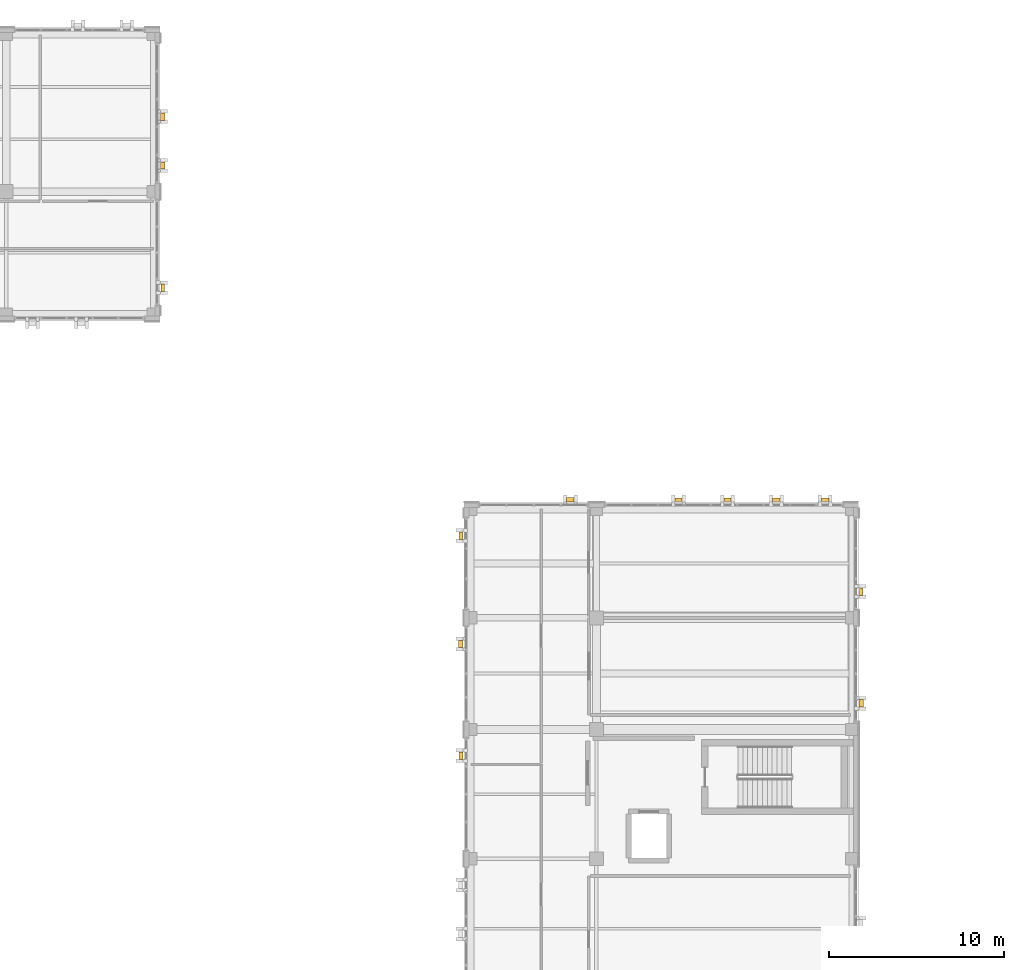
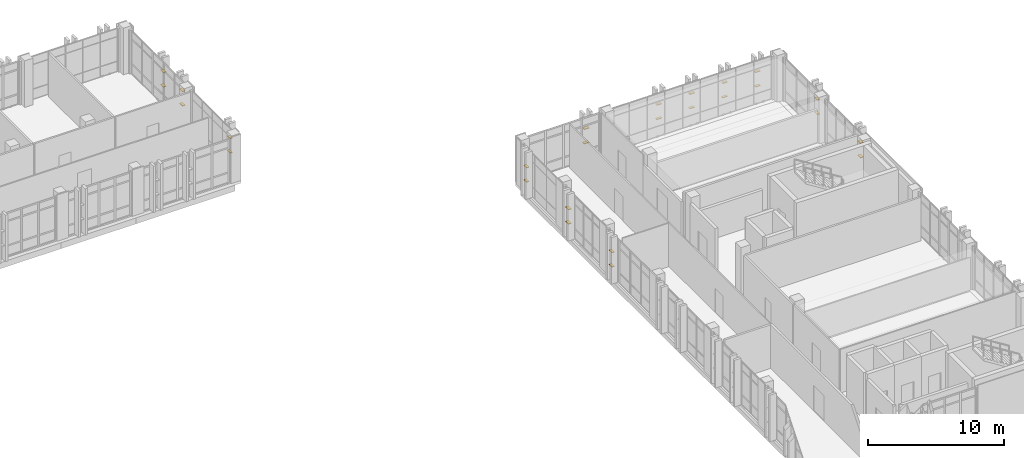
# One storey, part 165 of 165: 26 shading devices.
"""IFC4 building model written with IfcOpenShell, lengths in metres."""

import ifcopenshell
import ifcopenshell.guid

model = None  # the IFC model being written
_history = None  # IfcOwnerHistory: only IFC2X3 demands one
_inside = {}  # id of a spatial element -> (the spatial element, [elements in it])
_under = {}  # id of a project, library or spatial element -> (it, [spatial elements below it])
_declared = {}  # id of a project -> (the project, [libraries it declares])
_typed = {}  # id of a type object -> (the type object, [elements of that type])
_made_of = {}  # id of a material, layer set ... -> (it, [elements and type objects made of it])


def new_model(schema):
    """Start an empty IFC model of exactly this schema.

    Asked for "IFC4X3", IfcOpenShell would pick the latest addendum, in which some entities
    have other attributes; the version numbers below select the first issue.
    IFC2X3 requires an IfcOwnerHistory on every rooted entity: one is made here for all.
    """
    global model, _history
    if schema == "IFC4X3":
        model = ifcopenshell.file(schema_version=(4, 3, 0, 0))
    else:
        model = ifcopenshell.file(schema=schema)
    _inside.clear()
    _under.clear()
    _declared.clear()
    _typed.clear()
    _made_of.clear()
    _history = None
    if model.schema == "IFC2X3":
        org = make("IfcOrganization", Name="unknown")
        user = make(
            "IfcPersonAndOrganization",
            ThePerson=make("IfcPerson", FamilyName="unknown"),
            TheOrganization=org,
        )
        app = make(
            "IfcApplication",
            ApplicationDeveloper=org,
            Version="unknown",
            ApplicationFullName="unknown",
            ApplicationIdentifier="unknown",
        )
        _history = make(
            "IfcOwnerHistory",
            OwningUser=user,
            OwningApplication=app,
            ChangeAction="ADDED",
            CreationDate=0,
        )
    return model


def make(cls, **values):
    """One entity of the class cls with the attributes given. An attribute that is None is left unset."""
    return model.create_entity(
        cls, **{name: value for name, value in values.items() if value is not None}
    )


def rooted(cls, **values):
    """An entity with a GlobalId (a new one), such as an element, a storey or a relation."""
    return make(cls, GlobalId=ifcopenshell.guid.new(), OwnerHistory=_history, **values)


def si_unit(unit_type, name, prefix=None):
    """IfcSIUnit, for example si_unit("LENGTHUNIT", "METRE", prefix="MILLI")."""
    return make("IfcSIUnit", UnitType=unit_type, Prefix=prefix, Name=name)


def assignment(units):
    """IfcUnitAssignment: the units of a project."""
    return None if units is None else make("IfcUnitAssignment", Units=units)


def point(xyz):
    """IfcCartesianPoint."""
    return None if xyz is None else make("IfcCartesianPoint", Coordinates=xyz)


def direction(xyz):
    """IfcDirection."""
    return None if xyz is None else make("IfcDirection", DirectionRatios=xyz)


def frame(location, z_axis=None, x_axis=None):
    """IfcAxis2Placement3D, a coordinate frame: its origin and axes. An axis left out is left unset."""
    return make(
        "IfcAxis2Placement3D",
        Location=point(location),
        Axis=direction(z_axis),
        RefDirection=direction(x_axis),
    )


def frame_2d(location, x_axis=None):
    """IfcAxis2Placement2D, a coordinate frame in the plane: its origin and x axis."""
    return make(
        "IfcAxis2Placement2D", Location=point(location), RefDirection=direction(x_axis)
    )


def origin():
    """The frame at (0, 0, 0) with its axes left unset."""
    return frame((0.0, 0.0, 0.0))


def origin_2d():
    """The frame at (0, 0) in the plane with its x axis left unset."""
    return frame_2d((0.0, 0.0))


def place(relative_to, where):
    """IfcLocalPlacement: puts the frame where relative to a parent placement (None: the world)."""
    return make(
        "IfcLocalPlacement", PlacementRelTo=relative_to, RelativePlacement=where
    )


def context(
    kind, dimensions, precision=None, world=None, true_north=None, identifier=None
):
    """IfcGeometricRepresentationContext, for example the 3D "Model" context."""
    return make(
        "IfcGeometricRepresentationContext",
        ContextIdentifier=identifier,
        ContextType=kind,
        CoordinateSpaceDimension=dimensions,
        Precision=precision,
        WorldCoordinateSystem=world,
        TrueNorth=true_north,
    )


def subcontext(parent, identifier, kind, view, scale=None):
    """IfcGeometricRepresentationSubContext, for example "Body" below "Model"."""
    return make(
        "IfcGeometricRepresentationSubContext",
        ContextIdentifier=identifier,
        ContextType=kind,
        ParentContext=parent,
        TargetScale=scale,
        TargetView=view,
    )


def project(units=None, contexts=None):
    """IfcProject with its units and contexts."""
    return rooted(
        "IfcProject",
        Name="project",
        RepresentationContexts=contexts,
        UnitsInContext=assignment(units),
    )


def spatial(cls, under=None, at=None, **own):
    """A site, building, storey or space (cls), placed at a placement, below another one or the project."""
    s = rooted(cls, ObjectPlacement=at, **own)
    if under is not None:
        _under.setdefault(under.id(), (under, []))[1].append(s)
    return s


def profile(cls, at=None, kind="AREA", **sizes):
    """A parametric profile (cls). Its sizes go by their IFC names, for example OverallWidth=200.0."""
    return make(cls, ProfileType=kind, Position=at, **sizes)


def rectangle(**sizes):
    """IfcRectangleProfileDef."""
    return profile("IfcRectangleProfileDef", **sizes)


def extrude(swept, where, along, depth):
    """IfcExtrudedAreaSolid: the profile swept, set in the frame where, extruded along a direction by depth."""
    return make(
        "IfcExtrudedAreaSolid",
        SweptArea=swept,
        Position=where,
        ExtrudedDirection=direction(along),
        Depth=depth,
    )


def shape(context_of_items, identifier, shape_type, items):
    """IfcShapeRepresentation: the items that make up one representation, for example the "Body"."""
    return make(
        "IfcShapeRepresentation",
        ContextOfItems=context_of_items,
        RepresentationIdentifier=identifier,
        RepresentationType=shape_type,
        Items=items,
    )


def material(Name=None, Category=None):
    """IfcMaterial."""
    return make("IfcMaterial", Name=Name, Category=Category)


def made_of(thing, what):
    """Note that an element or type object is made of a material, layer set ...; save() writes the relation."""
    if what is not None:
        _made_of.setdefault(what.id(), (what, []))[1].append(thing)
    return thing


def type_object(cls, material=None, **own):
    """A type object (cls), such as IfcWallType, which elements share."""
    return made_of(rooted(cls, **own), material)


def element(
    cls,
    number,
    at=None,
    inside=None,
    cuts=None,
    type_object=None,
    material=None,
    context=None,
    identifier="Body",
    shape_type=None,
    held_by="IfcProductDefinitionShape",
    body=None,
    shapes=None,
    **own,
):
    """One element of the class cls, such as IfcWall. Its Tag is "e" and its number.

    at: its placement. inside: the storey or other place that contains it. cuts: it is an
    opening in that element (IfcRelVoidsElement). A single representation is given by context,
    identifier, shape_type and body (its items); several are given by shapes. held_by: the class
    of the entity that holds the representations. save() writes the other relations.
    """
    e = rooted(cls, Tag="e%d" % number, ObjectPlacement=at, **own)
    if body is not None:
        shapes = [shape(context, identifier, shape_type, body)]
    if shapes is not None:
        e.Representation = make(held_by, Representations=shapes)
    if inside is not None:
        _inside.setdefault(inside.id(), (inside, []))[1].append(e)
    if cuts is not None:
        rooted(
            "IfcRelVoidsElement", RelatingBuildingElement=cuts, RelatedOpeningElement=e
        )
    if type_object is not None:
        _typed.setdefault(type_object.id(), (type_object, []))[1].append(e)
    return made_of(e, material)


def aggregate(whole, parts):
    """IfcRelAggregates: a whole, such as a stair, and the parts it consists of."""
    return rooted("IfcRelAggregates", RelatingObject=whole, RelatedObjects=parts)


def save(model, path):
    """Write the relations noted so far, then the file.

    IfcRelAggregates (storeys below a building ...), IfcRelContainedInSpatialStructure (elements
    in a storey), IfcRelDefinesByType, IfcRelAssociatesMaterial and IfcRelDeclares: one each for
    every whole, place, type object, material and project.
    """
    for whole, parts in _under.values():
        aggregate(whole, parts)
    for where, things in _inside.values():
        rooted(
            "IfcRelContainedInSpatialStructure",
            RelatedElements=things,
            RelatingStructure=where,
        )
    for kind, things in _typed.values():
        rooted("IfcRelDefinesByType", RelatedObjects=things, RelatingType=kind)
    for what, things in _made_of.values():
        rooted("IfcRelAssociatesMaterial", RelatedObjects=things, RelatingMaterial=what)
    for by, libraries in _declared.values():
        rooted("IfcRelDeclares", RelatingContext=by, RelatedDefinitions=libraries)
    model.write(path)


model = new_model("IFC4")

# Units and contexts
model_context = context("Model", 3, precision=1e-05, world=origin(), true_north=direction((0.0, 1.0)))
body_context = subcontext(model_context, "Body", "Model", "MODEL_VIEW")
ifc_project = project(units=[si_unit("LENGTHUNIT", "METRE"), si_unit("AREAUNIT", "SQUARE_METRE"), si_unit("VOLUMEUNIT", "CUBIC_METRE"), si_unit("PLANEANGLEUNIT", "RADIAN"), si_unit("MASSUNIT", "GRAM", prefix="KILO")], contexts=[model_context])

# Site, building, storey
site_placement = place(None, origin())
site = spatial("IfcSite", under=ifc_project, at=site_placement, CompositionType="ELEMENT")
building_placement = place(site_placement, origin())
building = spatial("IfcBuilding", under=site, at=building_placement, Name="Qalavern Law Courts", CompositionType="ELEMENT")
storey_placement = place(building_placement, frame((0.0, 0.0, 14.39990234375)))
storey = spatial("IfcBuildingStorey", under=building, at=storey_placement, Name="L03", CompositionType="ELEMENT", Elevation=14.39990234375)

# Shading devices
ifc_material = material(Name="Anodised aluminium", Category="aluminium")
shading_device_type_1 = type_object("IfcShadingDeviceType", Name="ENV-LOUV-1", PredefinedType="JALOUSIE", material=ifc_material)
for number, where, z_axis, x_axis, name in (
    (1, (106.96240234375, 80.699951171875, 1.342041015625), (0.0, 0.0, 1.0), (0.0, 1.0, 0.0), "Horizontal sun louvre V4-L03-0-1"),
    (2, (106.96240234375, 80.699951171875, 2.6357421875), (0.0, 0.0, 1.0), (0.0, 1.0, 0.0), "Horizontal sun louvre V4-L03-0-2"),
    (3, (104.89990234375, 85.96240234375, 1.342041015625), (0.0, 0.0, 1.0), (-1.0, 0.0, 0.0), "Horizontal sun louvre V4-L03-0-1"),
    (4, (104.89990234375, 85.96240234375, 2.6357421875), (0.0, 0.0, 1.0), (-1.0, 0.0, 0.0), "Horizontal sun louvre V4-L03-0-2"),
    (5, (102.10009765625, 85.96240234375, 1.342041015625), (0.0, 0.0, 1.0), (-1.0, 0.0, 0.0), "Horizontal sun louvre V4-L03-1-1"),
    (6, (102.10009765625, 85.96240234375, 2.6357421875), (0.0, 0.0, 1.0), (-1.0, 0.0, 0.0), "Horizontal sun louvre V4-L03-1-2"),
    (7, (99.300048828125, 85.96240234375, 1.342041015625), (0.0, 0.0, 1.0), (-1.0, 0.0, 0.0), "Horizontal sun louvre V4-L03-2-1"),
    (8, (99.300048828125, 85.96240234375, 2.6357421875), (0.0, 0.0, 1.0), (-1.0, 0.0, 0.0), "Horizontal sun louvre V4-L03-2-2"),
    (9, (96.5, 85.96240234375, 1.342041015625), (0.0, 0.0, 1.0), (-1.0, 0.0, 0.0), "Horizontal sun louvre V4-L03-3-1"),
    (10, (96.5, 85.96240234375, 2.6357421875), (0.0, 0.0, 1.0), (-1.0, 0.0, 0.0), "Horizontal sun louvre V4-L03-3-2"),
    (11, (84.03759765625, 83.89990234375, 1.342041015625), (0.0, 0.0, 1.0), (0.0, -1.0, 0.0), "Horizontal sun louvre V4-L03-0-1"),
    (12, (84.03759765625, 83.89990234375, 2.6357421875), (0.0, 0.0, 1.0), (0.0, -1.0, 0.0), "Horizontal sun louvre V4-L03-0-2"),
    (13, (84.03759765625, 71.300048828125, 1.342041015625), (0.0, 0.0, 1.0), (0.0, -1.0, 0.0), "Horizontal sun louvre V4-L03-0-1"),
    (14, (84.03759765625, 71.300048828125, 2.6357421875), (0.0, 0.0, 1.0), (0.0, -1.0, 0.0), "Horizontal sun louvre V4-L03-0-2"),
    (15, (66.96240234375, 98.10009765625, 1.342041015625), (0.0, 0.0, 1.0), (0.0, 1.0, 0.0), "Horizontal sun louvre V5-L03-0-1"),
    (16, (66.96240234375, 98.10009765625, 2.6357421875), (0.0, 0.0, 1.0), (0.0, 1.0, 0.0), "Horizontal sun louvre V5-L03-0-2"),
):
    element("IfcShadingDevice", number, at=place(storey_placement, frame(where, z_axis=z_axis, x_axis=x_axis)), inside=storey, type_object=shading_device_type_1, Name=name, PredefinedType="JALOUSIE", context=body_context, shape_type="SweptSolid", body=[
        extrude(rectangle(XDim=0.419921875, YDim=0.2099609375, at=origin_2d()), origin(), (0.0, 0.0, 1.0), 0.06005859375),
    ])
shading_device_type_2 = type_object("IfcShadingDeviceType", Name="ENV-LOUV-2", PredefinedType="JALOUSIE", material=ifc_material)
for number, where, z_axis, x_axis, name in (
    (17, (106.96240234375, 74.300048828125, 1.342041015625), (0.0, 0.0, 1.0), (0.0, 1.0, 0.0), "Horizontal sun louvre V4-L03-0-1"),
    (18, (106.96240234375, 74.300048828125, 2.6357421875), (0.0, 0.0, 1.0), (0.0, 1.0, 0.0), "Horizontal sun louvre V4-L03-0-2"),
    (19, (90.300048828125, 85.96240234375, 1.342041015625), (0.0, 0.0, 1.0), (-1.0, 0.0, 0.0), "Horizontal sun louvre V4-L03-0-1"),
    (20, (90.300048828125, 85.96240234375, 2.6357421875), (0.0, 0.0, 1.0), (-1.0, 0.0, 0.0), "Horizontal sun louvre V4-L03-0-2"),
    (21, (84.03759765625, 77.699951171875, 1.342041015625), (0.0, 0.0, 1.0), (0.0, -1.0, 0.0), "Horizontal sun louvre V4-L03-0-1"),
    (22, (84.03759765625, 77.699951171875, 2.6357421875), (0.0, 0.0, 1.0), (0.0, -1.0, 0.0), "Horizontal sun louvre V4-L03-0-2"),
    (23, (66.96240234375, 105.10009765625, 1.342041015625), (0.0, 0.0, 1.0), (0.0, 1.0, 0.0), "Horizontal sun louvre V5-L03-0-1"),
    (24, (66.96240234375, 105.10009765625, 2.6357421875), (0.0, 0.0, 1.0), (0.0, 1.0, 0.0), "Horizontal sun louvre V5-L03-0-2"),
    (25, (66.96240234375, 107.89990234375, 1.342041015625), (0.0, 0.0, 1.0), (0.0, 1.0, 0.0), "Horizontal sun louvre V5-L03-1-1"),
    (26, (66.96240234375, 107.89990234375, 2.6357421875), (0.0, 0.0, 1.0), (0.0, 1.0, 0.0), "Horizontal sun louvre V5-L03-1-2"),
):
    element("IfcShadingDevice", number, at=place(storey_placement, frame(where, z_axis=z_axis, x_axis=x_axis)), inside=storey, type_object=shading_device_type_2, Name=name, PredefinedType="JALOUSIE", context=body_context, shape_type="SweptSolid", body=[
        extrude(rectangle(XDim=0.419921875, YDim=0.25, at=origin_2d()), origin(), (0.0, 0.0, 1.0), 0.06005859375),
    ])

save(model, "model.ifc")
